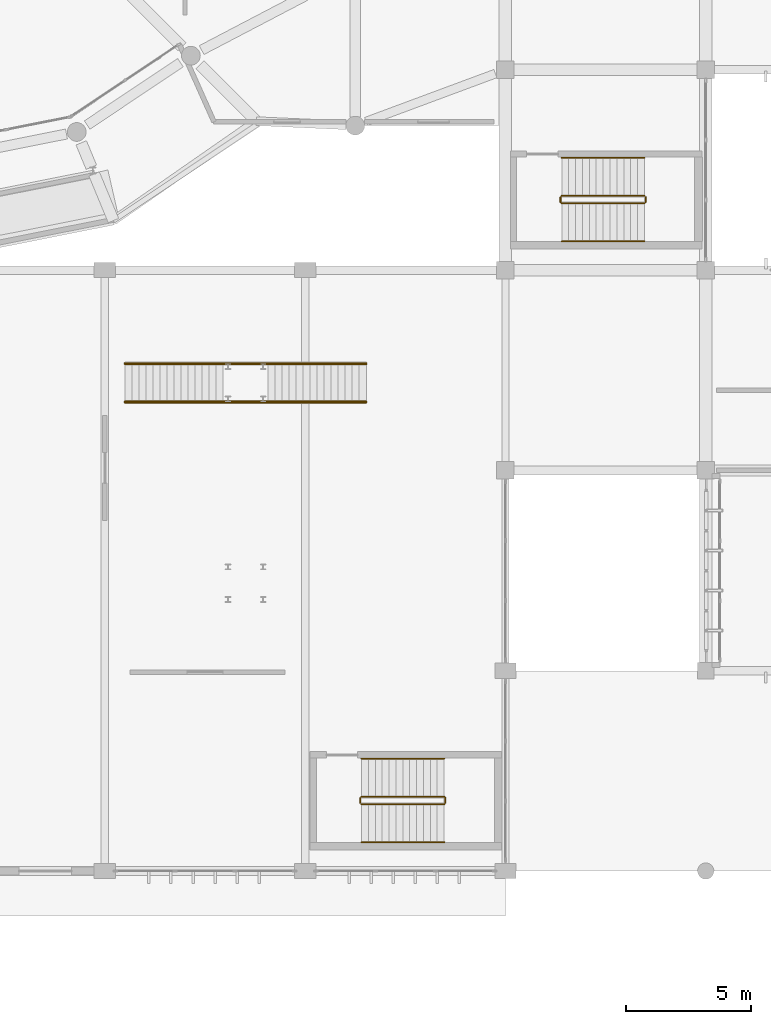
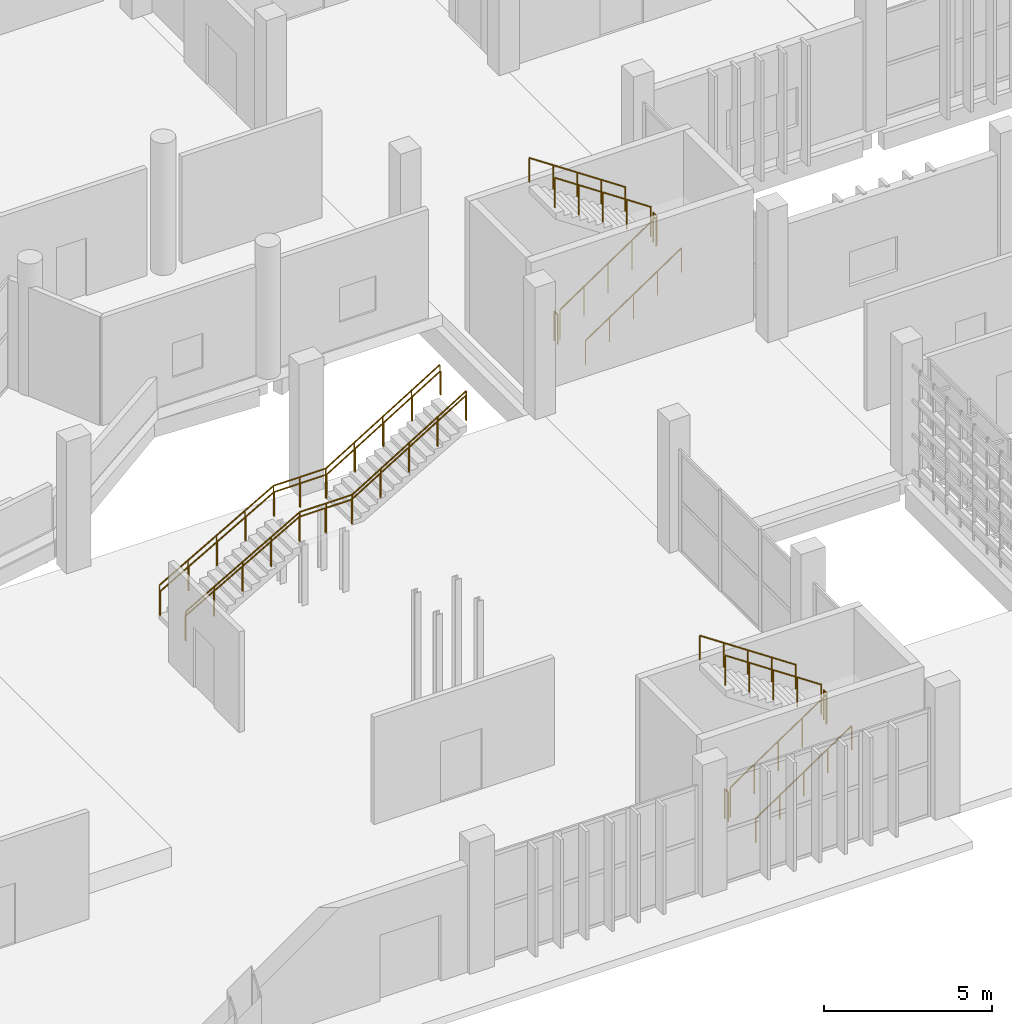
# One storey, part 104 of 117: 16 railings.
"""IFC4 building model written with IfcOpenShell, lengths in metres."""

from ifc_helpers import new_model, si_unit, direction, frame, origin, origin_2d, place, context, subcontext, project, spatial, circle, extrude, material, type_object, element, save


model = new_model("IFC4")

# Units and contexts
model_context = context("Model", 3, precision=1e-05, world=origin(), true_north=direction((0.0, 1.0)))
body_context = subcontext(model_context, "Body", "Model", "MODEL_VIEW")
ifc_project = project(units=[si_unit("LENGTHUNIT", "METRE"), si_unit("AREAUNIT", "SQUARE_METRE"), si_unit("VOLUMEUNIT", "CUBIC_METRE"), si_unit("PLANEANGLEUNIT", "RADIAN"), si_unit("MASSUNIT", "GRAM", prefix="KILO")], contexts=[model_context])

# Site, building, storey
site_placement = place(None, origin())
site = spatial("IfcSite", under=ifc_project, at=site_placement, CompositionType="ELEMENT")
building_placement = place(site_placement, origin())
building = spatial("IfcBuilding", under=site, at=building_placement, Name="Jelvoka-Kovrelna Polytechnic", CompositionType="ELEMENT")
storey_placement = place(building_placement, origin())
storey = spatial("IfcBuildingStorey", under=building, at=storey_placement, Name="L01", CompositionType="ELEMENT", Elevation=0.0)

# Railings
ifc_material_1 = material(Name="Powder-coated steel stair guard", Category="steel")
railing_type_1 = type_object("IfcRailingType", Name="Railing_Stair_Guard_1100", PredefinedType="GUARDRAIL", material=ifc_material_1)
railing_1_placement = place(storey_placement, frame((50.25, 26.669921875, 0.1845703125)))
element("IfcRailing", 1, at=railing_1_placement, inside=storey, type_object=railing_type_1, Name="L01 ST03 stair guard 1", PredefinedType="GUARDRAIL", context=body_context, shape_type="SweptSolid", body=[
    extrude(circle(Radius=0.02392578125, at=origin_2d()), frame((0.0, 0.0, 1.076171875), z_axis=(0.830269453126, 0.0, 0.557362211857), x_axis=(0.0, 1.0, 0.0)), (0.0, 0.0, 1.0), 3.974609375),
    extrude(circle(Radius=0.02099609375, at=origin_2d()), origin(), (0.0, 0.0, 1.0), 1.052001953125),
    extrude(circle(Radius=0.02099609375, at=origin_2d()), frame((0.824951171875, 0.0, 0.5537109375)), (0.0, 0.0, 1.0), 1.052001953125),
    extrude(circle(Radius=0.02099609375, at=origin_2d()), frame((1.64990234375, 0.0, 1.107666015625)), (0.0, 0.0, 1.0), 1.052001953125),
    extrude(circle(Radius=0.02099609375, at=origin_2d()), frame((2.47509765625, 0.0, 1.66162109375)), (0.0, 0.0, 1.0), 1.052001953125),
    extrude(circle(Radius=0.02099609375, at=origin_2d()), frame((3.300048828125, 0.0, 2.21533203125)), (0.0, 0.0, 1.0), 1.052001953125),
])
railing_2_placement = place(storey_placement, frame((53.60009765625, 26.719970703125, 2.39990234375)))
element("IfcRailing", 2, at=railing_2_placement, inside=storey, type_object=railing_type_1, Name="L01 ST03 stair guard 2", PredefinedType="GUARDRAIL", context=body_context, shape_type="SweptSolid", body=[
    extrude(circle(Radius=0.02392578125, at=origin_2d()), frame((0.0, 0.0, 1.076171875), z_axis=(0.0, 1.0, 0.0), x_axis=(-1.0, 0.0, 0.0)), (0.0, 0.0, 1.0), 0.199951171875),
    extrude(circle(Radius=0.02099609375, at=origin_2d()), origin(), (0.0, 0.0, 1.0), 1.052001953125),
    extrude(circle(Radius=0.02099609375, at=origin_2d()), frame((0.0, 0.199951171875, 0.0)), (0.0, 0.0, 1.0), 1.052001953125),
])
railing_3_placement = place(storey_placement, frame((53.550048828125, 26.969970703125, 2.584716796875)))
element("IfcRailing", 3, at=railing_3_placement, inside=storey, type_object=railing_type_1, Name="L01 ST03 stair guard 3", PredefinedType="GUARDRAIL", context=body_context, shape_type="SweptSolid", body=[
    extrude(circle(Radius=0.02392578125, at=origin_2d()), frame((0.0, 0.0, 1.076171875), z_axis=(-0.830269453126, 0.0, 0.557362211857), x_axis=(0.0, -1.0, 0.0)), (0.0, 0.0, 1.0), 3.974609375),
    extrude(circle(Radius=0.02099609375, at=origin_2d()), origin(), (0.0, 0.0, 1.0), 1.052001953125),
    extrude(circle(Radius=0.02099609375, at=origin_2d()), frame((-0.824951171875, 0.0, 0.5537109375)), (0.0, 0.0, 1.0), 1.052001953125),
    extrude(circle(Radius=0.02099609375, at=origin_2d()), frame((-1.64990234375, 0.0, 1.107666015625)), (0.0, 0.0, 1.0), 1.052001953125),
    extrude(circle(Radius=0.02099609375, at=origin_2d()), frame((-2.47509765625, 0.0, 1.66162109375)), (0.0, 0.0, 1.0), 1.052001953125),
    extrude(circle(Radius=0.02099609375, at=origin_2d()), frame((-3.300048828125, 0.0, 2.21533203125)), (0.0, 0.0, 1.0), 1.052001953125),
])
railing_4_placement = place(storey_placement, frame((50.199951171875, 26.719970703125, 0.0)))
element("IfcRailing", 4, at=railing_4_placement, inside=storey, type_object=railing_type_1, Name="L01 ST03 stair guard 4", PredefinedType="GUARDRAIL", context=body_context, shape_type="SweptSolid", body=[
    extrude(circle(Radius=0.02392578125, at=origin_2d()), frame((0.0, 0.0, 1.076171875), z_axis=(0.0, 1.0, 0.0), x_axis=(-1.0, 0.0, 0.0)), (0.0, 0.0, 1.0), 0.199951171875),
    extrude(circle(Radius=0.02099609375, at=origin_2d()), origin(), (0.0, 0.0, 1.0), 1.052001953125),
    extrude(circle(Radius=0.02099609375, at=origin_2d()), frame((0.0, 0.199951171875, 0.0)), (0.0, 0.0, 1.0), 1.052001953125),
])
railing_5_placement = place(storey_placement, frame((42.25, 2.669921875, 0.1845703125)))
element("IfcRailing", 5, at=railing_5_placement, inside=storey, type_object=railing_type_1, Name="L01 ST04 stair guard 1", PredefinedType="GUARDRAIL", context=body_context, shape_type="SweptSolid", body=[
    extrude(circle(Radius=0.02392578125, at=origin_2d()), frame((0.0, 0.0, 1.076171875), z_axis=(0.830269453126, 0.0, 0.557362211857), x_axis=(0.0, 1.0, 0.0)), (0.0, 0.0, 1.0), 3.974609375),
    extrude(circle(Radius=0.02099609375, at=origin_2d()), origin(), (0.0, 0.0, 1.0), 1.052001953125),
    extrude(circle(Radius=0.02099609375, at=origin_2d()), frame((0.824951171875, 0.0, 0.5537109375)), (0.0, 0.0, 1.0), 1.052001953125),
    extrude(circle(Radius=0.02099609375, at=origin_2d()), frame((1.64990234375, 0.0, 1.107666015625)), (0.0, 0.0, 1.0), 1.052001953125),
    extrude(circle(Radius=0.02099609375, at=origin_2d()), frame((2.47509765625, 0.0, 1.66162109375)), (0.0, 0.0, 1.0), 1.052001953125),
    extrude(circle(Radius=0.02099609375, at=origin_2d()), frame((3.300048828125, 0.0, 2.21533203125)), (0.0, 0.0, 1.0), 1.052001953125),
])
railing_6_placement = place(storey_placement, frame((45.60009765625, 2.719970703125, 2.39990234375)))
element("IfcRailing", 6, at=railing_6_placement, inside=storey, type_object=railing_type_1, Name="L01 ST04 stair guard 2", PredefinedType="GUARDRAIL", context=body_context, shape_type="SweptSolid", body=[
    extrude(circle(Radius=0.02392578125, at=origin_2d()), frame((0.0, 0.0, 1.076171875), z_axis=(0.0, 1.0, 0.0), x_axis=(-1.0, 0.0, 0.0)), (0.0, 0.0, 1.0), 0.199951171875),
    extrude(circle(Radius=0.02099609375, at=origin_2d()), origin(), (0.0, 0.0, 1.0), 1.052001953125),
    extrude(circle(Radius=0.02099609375, at=origin_2d()), frame((0.0, 0.199951171875, 0.0)), (0.0, 0.0, 1.0), 1.052001953125),
])
railing_7_placement = place(storey_placement, frame((45.550048828125, 2.969970703125, 2.584716796875)))
element("IfcRailing", 7, at=railing_7_placement, inside=storey, type_object=railing_type_1, Name="L01 ST04 stair guard 3", PredefinedType="GUARDRAIL", context=body_context, shape_type="SweptSolid", body=[
    extrude(circle(Radius=0.02392578125, at=origin_2d()), frame((0.0, 0.0, 1.076171875), z_axis=(-0.830269453126, 0.0, 0.557362211857), x_axis=(0.0, -1.0, 0.0)), (0.0, 0.0, 1.0), 3.974609375),
    extrude(circle(Radius=0.02099609375, at=origin_2d()), origin(), (0.0, 0.0, 1.0), 1.052001953125),
    extrude(circle(Radius=0.02099609375, at=origin_2d()), frame((-0.824951171875, 0.0, 0.5537109375)), (0.0, 0.0, 1.0), 1.052001953125),
    extrude(circle(Radius=0.02099609375, at=origin_2d()), frame((-1.64990234375, 0.0, 1.107666015625)), (0.0, 0.0, 1.0), 1.052001953125),
    extrude(circle(Radius=0.02099609375, at=origin_2d()), frame((-2.47509765625, 0.0, 1.66162109375)), (0.0, 0.0, 1.0), 1.052001953125),
    extrude(circle(Radius=0.02099609375, at=origin_2d()), frame((-3.300048828125, 0.0, 2.21533203125)), (0.0, 0.0, 1.0), 1.052001953125),
])
railing_8_placement = place(storey_placement, frame((42.199951171875, 2.719970703125, 0.0)))
element("IfcRailing", 8, at=railing_8_placement, inside=storey, type_object=railing_type_1, Name="L01 ST04 stair guard 4", PredefinedType="GUARDRAIL", context=body_context, shape_type="SweptSolid", body=[
    extrude(circle(Radius=0.02392578125, at=origin_2d()), frame((0.0, 0.0, 1.076171875), z_axis=(0.0, 1.0, 0.0), x_axis=(-1.0, 0.0, 0.0)), (0.0, 0.0, 1.0), 0.199951171875),
    extrude(circle(Radius=0.02099609375, at=origin_2d()), origin(), (0.0, 0.0, 1.0), 1.052001953125),
    extrude(circle(Radius=0.02099609375, at=origin_2d()), frame((0.0, 0.199951171875, 0.0)), (0.0, 0.0, 1.0), 1.052001953125),
])
railing_9_placement = place(storey_placement, frame((32.800048828125, 18.715087890625, 0.159912109375)))
element("IfcRailing", 9, at=railing_9_placement, inside=storey, type_object=railing_type_1, Name="L01 ST14 flight guard S", PredefinedType="GUARDRAIL", context=body_context, shape_type="SweptSolid", body=[
    extrude(circle(Radius=0.02392578125, at=origin_2d()), frame((0.0, 0.0, 1.076171875), z_axis=(0.868239814368, 0.0, 0.496144761885), x_axis=(0.0, 1.0, 0.0)), (0.0, 0.0, 1.0), 4.514892578125),
    extrude(circle(Radius=0.02392578125, at=origin_2d()), frame((3.919921875, 0.0, 3.31591796875), z_axis=(1.0, 0.0, 0.0), x_axis=(0.0, 1.0, 0.0)), (0.0, 0.0, 1.0), 1.800048828125),
    extrude(circle(Radius=0.02392578125, at=origin_2d()), frame((5.719970703125, 0.0, 3.31591796875), z_axis=(0.852832477147, 0.0, 0.522184609045), x_axis=(0.0, 1.0, 0.0)), (0.0, 0.0, 1.0), 4.596435546875),
    extrude(circle(Radius=0.02099609375, at=origin_2d()), origin(), (0.0, 0.0, 1.0), 1.052001953125),
    extrude(circle(Radius=0.02099609375, at=origin_2d()), frame((0.97998046875, 0.0, 0.56005859375)), (0.0, 0.0, 1.0), 1.052001953125),
    extrude(circle(Radius=0.02099609375, at=origin_2d()), frame((1.9599609375, 0.0, 1.1201171875)), (0.0, 0.0, 1.0), 1.052001953125),
    extrude(circle(Radius=0.02099609375, at=origin_2d()), frame((2.93994140625, 0.0, 1.679931640625)), (0.0, 0.0, 1.0), 1.052001953125),
    extrude(circle(Radius=0.02099609375, at=origin_2d()), frame((3.919921875, 0.0, 2.239990234375)), (0.0, 0.0, 1.0), 1.052001953125),
    extrude(circle(Radius=0.02099609375, at=origin_2d()), frame((4.81982421875, 0.0, 2.239990234375)), (0.0, 0.0, 1.0), 1.052001953125),
    extrude(circle(Radius=0.02099609375, at=origin_2d()), frame((5.719970703125, 0.0, 2.239990234375)), (0.0, 0.0, 1.0), 1.052001953125),
    extrude(circle(Radius=0.02099609375, at=origin_2d()), frame((6.699951171875, 0.0, 2.840087890625)), (0.0, 0.0, 1.0), 1.052001953125),
    extrude(circle(Radius=0.02099609375, at=origin_2d()), frame((7.679931640625, 0.0, 3.43994140625)), (0.0, 0.0, 1.0), 1.052001953125),
    extrude(circle(Radius=0.02099609375, at=origin_2d()), frame((8.659912109375, 0.0, 4.0400390625)), (0.0, 0.0, 1.0), 1.052001953125),
    extrude(circle(Radius=0.02099609375, at=origin_2d()), frame((9.639892578125, 0.0, 4.64013671875)), (0.0, 0.0, 1.0), 1.052001953125),
])
railing_10_placement = place(storey_placement, frame((32.800048828125, 20.284912109375, 0.159912109375)))
element("IfcRailing", 10, at=railing_10_placement, inside=storey, type_object=railing_type_1, Name="L01 ST14 flight guard N", PredefinedType="GUARDRAIL", context=body_context, shape_type="SweptSolid", body=[
    extrude(circle(Radius=0.02392578125, at=origin_2d()), frame((0.0, 0.0, 1.076171875), z_axis=(0.868239814368, 0.0, 0.496144761885), x_axis=(0.0, 1.0, 0.0)), (0.0, 0.0, 1.0), 4.514892578125),
    extrude(circle(Radius=0.02392578125, at=origin_2d()), frame((3.919921875, 0.0, 3.31591796875), z_axis=(1.0, 0.0, 0.0), x_axis=(0.0, 1.0, 0.0)), (0.0, 0.0, 1.0), 1.800048828125),
    extrude(circle(Radius=0.02392578125, at=origin_2d()), frame((5.719970703125, 0.0, 3.31591796875), z_axis=(0.852832477147, 0.0, 0.522184609045), x_axis=(0.0, 1.0, 0.0)), (0.0, 0.0, 1.0), 4.596435546875),
    extrude(circle(Radius=0.02099609375, at=origin_2d()), origin(), (0.0, 0.0, 1.0), 1.052001953125),
    extrude(circle(Radius=0.02099609375, at=origin_2d()), frame((0.97998046875, 0.0, 0.56005859375)), (0.0, 0.0, 1.0), 1.052001953125),
    extrude(circle(Radius=0.02099609375, at=origin_2d()), frame((1.9599609375, 0.0, 1.1201171875)), (0.0, 0.0, 1.0), 1.052001953125),
    extrude(circle(Radius=0.02099609375, at=origin_2d()), frame((2.93994140625, 0.0, 1.679931640625)), (0.0, 0.0, 1.0), 1.052001953125),
    extrude(circle(Radius=0.02099609375, at=origin_2d()), frame((3.919921875, 0.0, 2.239990234375)), (0.0, 0.0, 1.0), 1.052001953125),
    extrude(circle(Radius=0.02099609375, at=origin_2d()), frame((4.81982421875, 0.0, 2.239990234375)), (0.0, 0.0, 1.0), 1.052001953125),
    extrude(circle(Radius=0.02099609375, at=origin_2d()), frame((5.719970703125, 0.0, 2.239990234375)), (0.0, 0.0, 1.0), 1.052001953125),
    extrude(circle(Radius=0.02099609375, at=origin_2d()), frame((6.699951171875, 0.0, 2.840087890625)), (0.0, 0.0, 1.0), 1.052001953125),
    extrude(circle(Radius=0.02099609375, at=origin_2d()), frame((7.679931640625, 0.0, 3.43994140625)), (0.0, 0.0, 1.0), 1.052001953125),
    extrude(circle(Radius=0.02099609375, at=origin_2d()), frame((8.659912109375, 0.0, 4.0400390625)), (0.0, 0.0, 1.0), 1.052001953125),
    extrude(circle(Radius=0.02099609375, at=origin_2d()), frame((9.639892578125, 0.0, 4.64013671875)), (0.0, 0.0, 1.0), 1.052001953125),
])
ifc_material_2 = material(Name="Brushed stainless steel handrail", Category="steel")
railing_type_2 = type_object("IfcRailingType", Name="Railing_Stair_Handrail_900", PredefinedType="HANDRAIL", material=ifc_material_2)
railing_11_placement = place(storey_placement, frame((50.25, 25.14990234375, 0.1845703125)))
element("IfcRailing", 11, at=railing_11_placement, inside=storey, type_object=railing_type_2, Name="L01 ST03 stair handrail 1", PredefinedType="HANDRAIL", context=body_context, shape_type="SweptSolid", body=[
    extrude(circle(Radius=0.02392578125, at=origin_2d()), frame((0.0, 0.0, 0.8759765625), z_axis=(0.830269453126, 0.0, 0.557362211857), x_axis=(0.0, 1.0, 0.0)), (0.0, 0.0, 1.0), 3.974609375),
    extrude(circle(Radius=0.02099609375, at=origin_2d()), origin(), (0.0, 0.0, 1.0), 0.851806640625),
    extrude(circle(Radius=0.02099609375, at=origin_2d()), frame((0.824951171875, 0.0, 0.5537109375)), (0.0, 0.0, 1.0), 0.851806640625),
    extrude(circle(Radius=0.02099609375, at=origin_2d()), frame((1.64990234375, 0.0, 1.107666015625)), (0.0, 0.0, 1.0), 0.851806640625),
    extrude(circle(Radius=0.02099609375, at=origin_2d()), frame((2.47509765625, 0.0, 1.66162109375)), (0.0, 0.0, 1.0), 0.851806640625),
    extrude(circle(Radius=0.02099609375, at=origin_2d()), frame((3.300048828125, 0.0, 2.21533203125)), (0.0, 0.0, 1.0), 0.851806640625),
])
railing_12_placement = place(storey_placement, frame((53.550048828125, 28.489990234375, 2.584716796875)))
element("IfcRailing", 12, at=railing_12_placement, inside=storey, type_object=railing_type_2, Name="L01 ST03 stair handrail 2", PredefinedType="HANDRAIL", context=body_context, shape_type="SweptSolid", body=[
    extrude(circle(Radius=0.02392578125, at=origin_2d()), frame((0.0, 0.0, 0.8759765625), z_axis=(-0.830269453126, 0.0, 0.557362211857), x_axis=(0.0, -1.0, 0.0)), (0.0, 0.0, 1.0), 3.974609375),
    extrude(circle(Radius=0.02099609375, at=origin_2d()), origin(), (0.0, 0.0, 1.0), 0.851806640625),
    extrude(circle(Radius=0.02099609375, at=origin_2d()), frame((-0.824951171875, 0.0, 0.5537109375)), (0.0, 0.0, 1.0), 0.851806640625),
    extrude(circle(Radius=0.02099609375, at=origin_2d()), frame((-1.64990234375, 0.0, 1.107666015625)), (0.0, 0.0, 1.0), 0.851806640625),
    extrude(circle(Radius=0.02099609375, at=origin_2d()), frame((-2.47509765625, 0.0, 1.66162109375)), (0.0, 0.0, 1.0), 0.851806640625),
    extrude(circle(Radius=0.02099609375, at=origin_2d()), frame((-3.300048828125, 0.0, 2.21533203125)), (0.0, 0.0, 1.0), 0.851806640625),
])
railing_13_placement = place(storey_placement, frame((42.25, 1.14990234375, 0.1845703125)))
element("IfcRailing", 13, at=railing_13_placement, inside=storey, type_object=railing_type_2, Name="L01 ST04 stair handrail 1", PredefinedType="HANDRAIL", context=body_context, shape_type="SweptSolid", body=[
    extrude(circle(Radius=0.02392578125, at=origin_2d()), frame((0.0, 0.0, 0.8759765625), z_axis=(0.830269453126, 0.0, 0.557362211857), x_axis=(0.0, 1.0, 0.0)), (0.0, 0.0, 1.0), 3.974609375),
    extrude(circle(Radius=0.02099609375, at=origin_2d()), origin(), (0.0, 0.0, 1.0), 0.851806640625),
    extrude(circle(Radius=0.02099609375, at=origin_2d()), frame((0.824951171875, 0.0, 0.5537109375)), (0.0, 0.0, 1.0), 0.851806640625),
    extrude(circle(Radius=0.02099609375, at=origin_2d()), frame((1.64990234375, 0.0, 1.107666015625)), (0.0, 0.0, 1.0), 0.851806640625),
    extrude(circle(Radius=0.02099609375, at=origin_2d()), frame((2.47509765625, 0.0, 1.66162109375)), (0.0, 0.0, 1.0), 0.851806640625),
    extrude(circle(Radius=0.02099609375, at=origin_2d()), frame((3.300048828125, 0.0, 2.21533203125)), (0.0, 0.0, 1.0), 0.851806640625),
])
railing_14_placement = place(storey_placement, frame((45.550048828125, 4.489990234375, 2.584716796875)))
element("IfcRailing", 14, at=railing_14_placement, inside=storey, type_object=railing_type_2, Name="L01 ST04 stair handrail 2", PredefinedType="HANDRAIL", context=body_context, shape_type="SweptSolid", body=[
    extrude(circle(Radius=0.02392578125, at=origin_2d()), frame((0.0, 0.0, 0.8759765625), z_axis=(-0.830269453126, 0.0, 0.557362211857), x_axis=(0.0, -1.0, 0.0)), (0.0, 0.0, 1.0), 3.974609375),
    extrude(circle(Radius=0.02099609375, at=origin_2d()), origin(), (0.0, 0.0, 1.0), 0.851806640625),
    extrude(circle(Radius=0.02099609375, at=origin_2d()), frame((-0.824951171875, 0.0, 0.5537109375)), (0.0, 0.0, 1.0), 0.851806640625),
    extrude(circle(Radius=0.02099609375, at=origin_2d()), frame((-1.64990234375, 0.0, 1.107666015625)), (0.0, 0.0, 1.0), 0.851806640625),
    extrude(circle(Radius=0.02099609375, at=origin_2d()), frame((-2.47509765625, 0.0, 1.66162109375)), (0.0, 0.0, 1.0), 0.851806640625),
    extrude(circle(Radius=0.02099609375, at=origin_2d()), frame((-3.300048828125, 0.0, 2.21533203125)), (0.0, 0.0, 1.0), 0.851806640625),
])
railing_15_placement = place(storey_placement, frame((32.800048828125, 18.7548828125, 0.159912109375)))
element("IfcRailing", 15, at=railing_15_placement, inside=storey, type_object=railing_type_2, Name="L01 ST14 handrail S", PredefinedType="HANDRAIL", context=body_context, shape_type="SweptSolid", body=[
    extrude(circle(Radius=0.02392578125, at=origin_2d()), frame((0.0, 0.0, 0.8759765625), z_axis=(0.868239814368, 0.0, 0.496144761885), x_axis=(0.0, 1.0, 0.0)), (0.0, 0.0, 1.0), 4.514892578125),
    extrude(circle(Radius=0.02392578125, at=origin_2d()), frame((3.919921875, 0.0, 3.11572265625), z_axis=(1.0, 0.0, 0.0), x_axis=(0.0, 1.0, 0.0)), (0.0, 0.0, 1.0), 1.800048828125),
    extrude(circle(Radius=0.02392578125, at=origin_2d()), frame((5.719970703125, 0.0, 3.11572265625), z_axis=(0.852832477147, 0.0, 0.522184609045), x_axis=(0.0, 1.0, 0.0)), (0.0, 0.0, 1.0), 4.596435546875),
    extrude(circle(Radius=0.02099609375, at=origin_2d()), origin(), (0.0, 0.0, 1.0), 0.851806640625),
    extrude(circle(Radius=0.02099609375, at=origin_2d()), frame((0.97998046875, 0.0, 0.56005859375)), (0.0, 0.0, 1.0), 0.851806640625),
    extrude(circle(Radius=0.02099609375, at=origin_2d()), frame((1.9599609375, 0.0, 1.1201171875)), (0.0, 0.0, 1.0), 0.851806640625),
    extrude(circle(Radius=0.02099609375, at=origin_2d()), frame((2.93994140625, 0.0, 1.679931640625)), (0.0, 0.0, 1.0), 0.851806640625),
    extrude(circle(Radius=0.02099609375, at=origin_2d()), frame((3.919921875, 0.0, 2.239990234375)), (0.0, 0.0, 1.0), 0.851806640625),
    extrude(circle(Radius=0.02099609375, at=origin_2d()), frame((4.81982421875, 0.0, 2.239990234375)), (0.0, 0.0, 1.0), 0.851806640625),
    extrude(circle(Radius=0.02099609375, at=origin_2d()), frame((5.719970703125, 0.0, 2.239990234375)), (0.0, 0.0, 1.0), 0.851806640625),
    extrude(circle(Radius=0.02099609375, at=origin_2d()), frame((6.699951171875, 0.0, 2.840087890625)), (0.0, 0.0, 1.0), 0.851806640625),
    extrude(circle(Radius=0.02099609375, at=origin_2d()), frame((7.679931640625, 0.0, 3.43994140625)), (0.0, 0.0, 1.0), 0.851806640625),
    extrude(circle(Radius=0.02099609375, at=origin_2d()), frame((8.659912109375, 0.0, 4.0400390625)), (0.0, 0.0, 1.0), 0.851806640625),
    extrude(circle(Radius=0.02099609375, at=origin_2d()), frame((9.639892578125, 0.0, 4.64013671875)), (0.0, 0.0, 1.0), 0.851806640625),
])
railing_16_placement = place(storey_placement, frame((32.800048828125, 20.2451171875, 0.159912109375)))
element("IfcRailing", 16, at=railing_16_placement, inside=storey, type_object=railing_type_2, Name="L01 ST14 handrail N", PredefinedType="HANDRAIL", context=body_context, shape_type="SweptSolid", body=[
    extrude(circle(Radius=0.02392578125, at=origin_2d()), frame((0.0, 0.0, 0.8759765625), z_axis=(0.868239814368, 0.0, 0.496144761885), x_axis=(0.0, 1.0, 0.0)), (0.0, 0.0, 1.0), 4.514892578125),
    extrude(circle(Radius=0.02392578125, at=origin_2d()), frame((3.919921875, 0.0, 3.11572265625), z_axis=(1.0, 0.0, 0.0), x_axis=(0.0, 1.0, 0.0)), (0.0, 0.0, 1.0), 1.800048828125),
    extrude(circle(Radius=0.02392578125, at=origin_2d()), frame((5.719970703125, 0.0, 3.11572265625), z_axis=(0.852832477147, 0.0, 0.522184609045), x_axis=(0.0, 1.0, 0.0)), (0.0, 0.0, 1.0), 4.596435546875),
    extrude(circle(Radius=0.02099609375, at=origin_2d()), origin(), (0.0, 0.0, 1.0), 0.851806640625),
    extrude(circle(Radius=0.02099609375, at=origin_2d()), frame((0.97998046875, 0.0, 0.56005859375)), (0.0, 0.0, 1.0), 0.851806640625),
    extrude(circle(Radius=0.02099609375, at=origin_2d()), frame((1.9599609375, 0.0, 1.1201171875)), (0.0, 0.0, 1.0), 0.851806640625),
    extrude(circle(Radius=0.02099609375, at=origin_2d()), frame((2.93994140625, 0.0, 1.679931640625)), (0.0, 0.0, 1.0), 0.851806640625),
    extrude(circle(Radius=0.02099609375, at=origin_2d()), frame((3.919921875, 0.0, 2.239990234375)), (0.0, 0.0, 1.0), 0.851806640625),
    extrude(circle(Radius=0.02099609375, at=origin_2d()), frame((4.81982421875, 0.0, 2.239990234375)), (0.0, 0.0, 1.0), 0.851806640625),
    extrude(circle(Radius=0.02099609375, at=origin_2d()), frame((5.719970703125, 0.0, 2.239990234375)), (0.0, 0.0, 1.0), 0.851806640625),
    extrude(circle(Radius=0.02099609375, at=origin_2d()), frame((6.699951171875, 0.0, 2.840087890625)), (0.0, 0.0, 1.0), 0.851806640625),
    extrude(circle(Radius=0.02099609375, at=origin_2d()), frame((7.679931640625, 0.0, 3.43994140625)), (0.0, 0.0, 1.0), 0.851806640625),
    extrude(circle(Radius=0.02099609375, at=origin_2d()), frame((8.659912109375, 0.0, 4.0400390625)), (0.0, 0.0, 1.0), 0.851806640625),
    extrude(circle(Radius=0.02099609375, at=origin_2d()), frame((9.639892578125, 0.0, 4.64013671875)), (0.0, 0.0, 1.0), 0.851806640625),
])

save(model, "model.ifc")
